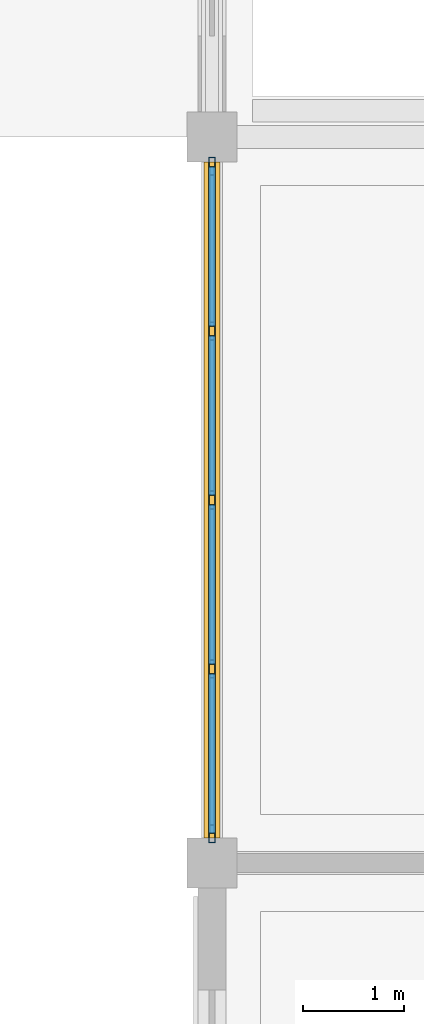
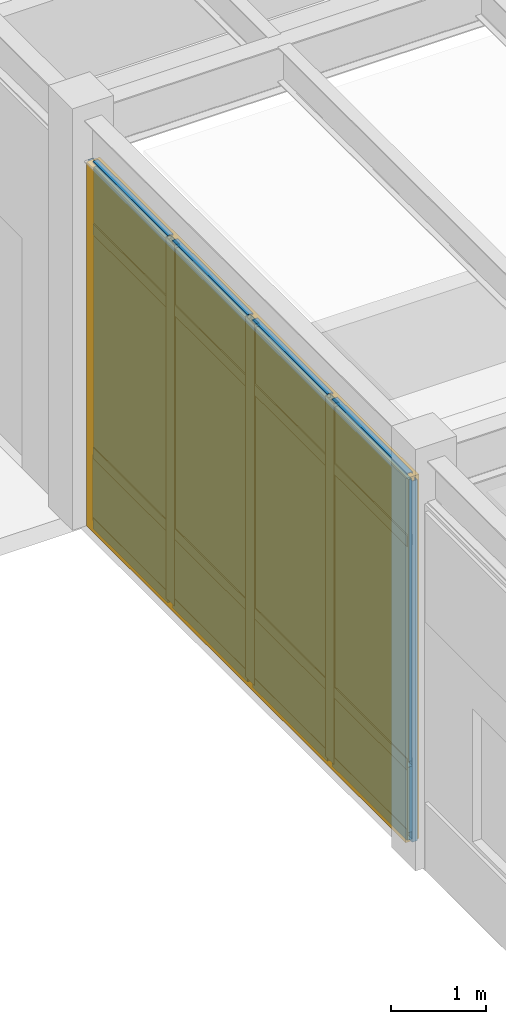
# One storey, part 66 of 97: 21 members, 8 plates, 1 curtain wall.
"""IFC4 building model written with IfcOpenShell, lengths in metres."""

import ifcopenshell
import ifcopenshell.guid

model = None  # the IFC model being written
_history = None  # IfcOwnerHistory: only IFC2X3 demands one
_inside = {}  # id of a spatial element -> (the spatial element, [elements in it])
_under = {}  # id of a project, library or spatial element -> (it, [spatial elements below it])
_declared = {}  # id of a project -> (the project, [libraries it declares])
_typed = {}  # id of a type object -> (the type object, [elements of that type])
_made_of = {}  # id of a material, layer set ... -> (it, [elements and type objects made of it])


def new_model(schema):
    """Start an empty IFC model of exactly this schema.

    Asked for "IFC4X3", IfcOpenShell would pick the latest addendum, in which some entities
    have other attributes; the version numbers below select the first issue.
    IFC2X3 requires an IfcOwnerHistory on every rooted entity: one is made here for all.
    """
    global model, _history
    if schema == "IFC4X3":
        model = ifcopenshell.file(schema_version=(4, 3, 0, 0))
    else:
        model = ifcopenshell.file(schema=schema)
    _inside.clear()
    _under.clear()
    _declared.clear()
    _typed.clear()
    _made_of.clear()
    _history = None
    if model.schema == "IFC2X3":
        org = make("IfcOrganization", Name="unknown")
        user = make(
            "IfcPersonAndOrganization",
            ThePerson=make("IfcPerson", FamilyName="unknown"),
            TheOrganization=org,
        )
        app = make(
            "IfcApplication",
            ApplicationDeveloper=org,
            Version="unknown",
            ApplicationFullName="unknown",
            ApplicationIdentifier="unknown",
        )
        _history = make(
            "IfcOwnerHistory",
            OwningUser=user,
            OwningApplication=app,
            ChangeAction="ADDED",
            CreationDate=0,
        )
    return model


def make(cls, **values):
    """One entity of the class cls with the attributes given. An attribute that is None is left unset."""
    return model.create_entity(
        cls, **{name: value for name, value in values.items() if value is not None}
    )


def rooted(cls, **values):
    """An entity with a GlobalId (a new one), such as an element, a storey or a relation."""
    return make(cls, GlobalId=ifcopenshell.guid.new(), OwnerHistory=_history, **values)


def si_unit(unit_type, name, prefix=None):
    """IfcSIUnit, for example si_unit("LENGTHUNIT", "METRE", prefix="MILLI")."""
    return make("IfcSIUnit", UnitType=unit_type, Prefix=prefix, Name=name)


def assignment(units):
    """IfcUnitAssignment: the units of a project."""
    return None if units is None else make("IfcUnitAssignment", Units=units)


def point(xyz):
    """IfcCartesianPoint."""
    return None if xyz is None else make("IfcCartesianPoint", Coordinates=xyz)


def direction(xyz):
    """IfcDirection."""
    return None if xyz is None else make("IfcDirection", DirectionRatios=xyz)


def frame(location, z_axis=None, x_axis=None):
    """IfcAxis2Placement3D, a coordinate frame: its origin and axes. An axis left out is left unset."""
    return make(
        "IfcAxis2Placement3D",
        Location=point(location),
        Axis=direction(z_axis),
        RefDirection=direction(x_axis),
    )


def frame_2d(location, x_axis=None):
    """IfcAxis2Placement2D, a coordinate frame in the plane: its origin and x axis."""
    return make(
        "IfcAxis2Placement2D", Location=point(location), RefDirection=direction(x_axis)
    )


def origin():
    """The frame at (0, 0, 0) with its axes left unset."""
    return frame((0.0, 0.0, 0.0))


def origin_2d():
    """The frame at (0, 0) in the plane with its x axis left unset."""
    return frame_2d((0.0, 0.0))


def place(relative_to, where):
    """IfcLocalPlacement: puts the frame where relative to a parent placement (None: the world)."""
    return make(
        "IfcLocalPlacement", PlacementRelTo=relative_to, RelativePlacement=where
    )


def context(
    kind, dimensions, precision=None, world=None, true_north=None, identifier=None
):
    """IfcGeometricRepresentationContext, for example the 3D "Model" context."""
    return make(
        "IfcGeometricRepresentationContext",
        ContextIdentifier=identifier,
        ContextType=kind,
        CoordinateSpaceDimension=dimensions,
        Precision=precision,
        WorldCoordinateSystem=world,
        TrueNorth=true_north,
    )


def subcontext(parent, identifier, kind, view, scale=None):
    """IfcGeometricRepresentationSubContext, for example "Body" below "Model"."""
    return make(
        "IfcGeometricRepresentationSubContext",
        ContextIdentifier=identifier,
        ContextType=kind,
        ParentContext=parent,
        TargetScale=scale,
        TargetView=view,
    )


def project(units=None, contexts=None):
    """IfcProject with its units and contexts."""
    return rooted(
        "IfcProject",
        Name="project",
        RepresentationContexts=contexts,
        UnitsInContext=assignment(units),
    )


def spatial(cls, under=None, at=None, **own):
    """A site, building, storey or space (cls), placed at a placement, below another one or the project."""
    s = rooted(cls, ObjectPlacement=at, **own)
    if under is not None:
        _under.setdefault(under.id(), (under, []))[1].append(s)
    return s


def profile(cls, at=None, kind="AREA", **sizes):
    """A parametric profile (cls). Its sizes go by their IFC names, for example OverallWidth=200.0."""
    return make(cls, ProfileType=kind, Position=at, **sizes)


def rectangle(**sizes):
    """IfcRectangleProfileDef."""
    return profile("IfcRectangleProfileDef", **sizes)


def hollow_rectangle(**sizes):
    """IfcRectangleHollowProfileDef."""
    return profile("IfcRectangleHollowProfileDef", **sizes)


def extrude(swept, where, along, depth):
    """IfcExtrudedAreaSolid: the profile swept, set in the frame where, extruded along a direction by depth."""
    return make(
        "IfcExtrudedAreaSolid",
        SweptArea=swept,
        Position=where,
        ExtrudedDirection=direction(along),
        Depth=depth,
    )


def shape(context_of_items, identifier, shape_type, items):
    """IfcShapeRepresentation: the items that make up one representation, for example the "Body"."""
    return make(
        "IfcShapeRepresentation",
        ContextOfItems=context_of_items,
        RepresentationIdentifier=identifier,
        RepresentationType=shape_type,
        Items=items,
    )


def material(Name=None, Category=None):
    """IfcMaterial."""
    return make("IfcMaterial", Name=Name, Category=Category)


def layer(
    of_material, thickness, ventilated=None, Name=None, Category=None, Priority=None
):
    """IfcMaterialLayer: one layer of a wall or slab, of a material (None: an air gap)."""
    return make(
        "IfcMaterialLayer",
        Material=of_material,
        LayerThickness=thickness,
        IsVentilated=ventilated,
        Name=Name,
        Category=Category,
        Priority=Priority,
    )


def layer_set(layers, Name=None):
    """IfcMaterialLayerSet."""
    return make("IfcMaterialLayerSet", MaterialLayers=layers, LayerSetName=Name)


def material_profile(
    of_material, cross_section, Name=None, Category=None, Priority=None
):
    """IfcMaterialProfile: a cross section and its material."""
    return make(
        "IfcMaterialProfile",
        Name=Name,
        Material=of_material,
        Profile=cross_section,
        Priority=Priority,
        Category=Category,
    )


def profile_set(profiles, Name=None, composite=None):
    """IfcMaterialProfileSet."""
    return make(
        "IfcMaterialProfileSet",
        Name=Name,
        MaterialProfiles=profiles,
        CompositeProfile=composite,
    )


def made_of(thing, what):
    """Note that an element or type object is made of a material, layer set ...; save() writes the relation."""
    if what is not None:
        _made_of.setdefault(what.id(), (what, []))[1].append(thing)
    return thing


def type_object(cls, material=None, **own):
    """A type object (cls), such as IfcWallType, which elements share."""
    return made_of(rooted(cls, **own), material)


def element(
    cls,
    number,
    at=None,
    inside=None,
    cuts=None,
    type_object=None,
    material=None,
    context=None,
    identifier="Body",
    shape_type=None,
    held_by="IfcProductDefinitionShape",
    body=None,
    shapes=None,
    **own,
):
    """One element of the class cls, such as IfcWall. Its Tag is "e" and its number.

    at: its placement. inside: the storey or other place that contains it. cuts: it is an
    opening in that element (IfcRelVoidsElement). A single representation is given by context,
    identifier, shape_type and body (its items); several are given by shapes. held_by: the class
    of the entity that holds the representations. save() writes the other relations.
    """
    e = rooted(cls, Tag="e%d" % number, ObjectPlacement=at, **own)
    if body is not None:
        shapes = [shape(context, identifier, shape_type, body)]
    if shapes is not None:
        e.Representation = make(held_by, Representations=shapes)
    if inside is not None:
        _inside.setdefault(inside.id(), (inside, []))[1].append(e)
    if cuts is not None:
        rooted(
            "IfcRelVoidsElement", RelatingBuildingElement=cuts, RelatedOpeningElement=e
        )
    if type_object is not None:
        _typed.setdefault(type_object.id(), (type_object, []))[1].append(e)
    return made_of(e, material)


def aggregate(whole, parts):
    """IfcRelAggregates: a whole, such as a stair, and the parts it consists of."""
    return rooted("IfcRelAggregates", RelatingObject=whole, RelatedObjects=parts)


def save(model, path):
    """Write the relations noted so far, then the file.

    IfcRelAggregates (storeys below a building ...), IfcRelContainedInSpatialStructure (elements
    in a storey), IfcRelDefinesByType, IfcRelAssociatesMaterial and IfcRelDeclares: one each for
    every whole, place, type object, material and project.
    """
    for whole, parts in _under.values():
        aggregate(whole, parts)
    for where, things in _inside.values():
        rooted(
            "IfcRelContainedInSpatialStructure",
            RelatedElements=things,
            RelatingStructure=where,
        )
    for kind, things in _typed.values():
        rooted("IfcRelDefinesByType", RelatedObjects=things, RelatingType=kind)
    for what, things in _made_of.values():
        rooted("IfcRelAssociatesMaterial", RelatedObjects=things, RelatingMaterial=what)
    for by, libraries in _declared.values():
        rooted("IfcRelDeclares", RelatingContext=by, RelatedDefinitions=libraries)
    model.write(path)


model = new_model("IFC4")

# Units and contexts
model_context = context("Model", 3, precision=1e-05, world=origin(), true_north=direction((0.0, 1.0)))
body_context = subcontext(model_context, "Body", "Model", "MODEL_VIEW")
ifc_project = project(units=[si_unit("LENGTHUNIT", "METRE"), si_unit("AREAUNIT", "SQUARE_METRE"), si_unit("VOLUMEUNIT", "CUBIC_METRE"), si_unit("PLANEANGLEUNIT", "RADIAN"), si_unit("MASSUNIT", "GRAM", prefix="KILO")], contexts=[model_context])

# Member
ifc_material_1 = material(Name="Anodized Aluminium 6063-T6", Category="aluminium")
ifc_material_profile_1 = material_profile(ifc_material_1, hollow_rectangle(XDim=0.06494140625, YDim=0.179931640625, WallThickness=0.00390625, at=origin_2d()), Name="ALU 65x180x4")
ifc_profile_set_1 = profile_set([ifc_material_profile_1], Name="Anodized Aluminium 6063-T6")
member_type_1 = type_object("IfcMemberType", Name="CWM-65X150", PredefinedType="MULLION", material=ifc_profile_set_1)
site_placement = place(None, origin())
building_placement = place(site_placement, origin())
storey_placement = place(building_placement, origin())
member_1_placement = place(storey_placement, frame((7.199951171875, 93.889892578125, 0.02001953125), z_axis=(0.0, 0.0, 1.0), x_axis=(1.0, 0.0, 0.0)))
member_1 = element("IfcMember", 1, at=member_1_placement, type_object=member_type_1, Name="Curtain wall mullion CW-L01-01-13-W-00", PredefinedType="MULLION", context=body_context, shape_type="SweptSolid", body=[
    extrude(hollow_rectangle(XDim=0.06494140625, YDim=0.179931640625, WallThickness=0.00390625, at=origin_2d()), origin(), (0.0, 0.0, 1.0), 4.626953125),
])

member_2_placement = place(storey_placement, frame((7.199951171875, 95.52490234375, 0.02001953125), z_axis=(0.0, 0.0, 1.0), x_axis=(1.0, 0.0, 0.0)))
member_2 = element("IfcMember", 2, at=member_2_placement, type_object=member_type_1, Name="Curtain wall mullion CW-L01-01-13-W-01", PredefinedType="MULLION", context=body_context, shape_type="SweptSolid", body=[
    extrude(hollow_rectangle(XDim=0.06494140625, YDim=0.179931640625, WallThickness=0.00390625, at=origin_2d()), origin(), (0.0, 0.0, 1.0), 4.626953125),
])

member_3_placement = place(storey_placement, frame((7.199951171875, 97.199951171875, 0.02001953125), z_axis=(0.0, 0.0, 1.0), x_axis=(1.0, 0.0, 0.0)))
member_3 = element("IfcMember", 3, at=member_3_placement, type_object=member_type_1, Name="Curtain wall mullion CW-L01-01-13-W-02", PredefinedType="MULLION", context=body_context, shape_type="SweptSolid", body=[
    extrude(hollow_rectangle(XDim=0.06494140625, YDim=0.179931640625, WallThickness=0.00390625, at=origin_2d()), origin(), (0.0, 0.0, 1.0), 4.626953125),
])

member_4_placement = place(storey_placement, frame((7.199951171875, 98.875, 0.02001953125), z_axis=(0.0, 0.0, 1.0), x_axis=(1.0, 0.0, 0.0)))
member_4 = element("IfcMember", 4, at=member_4_placement, type_object=member_type_1, Name="Curtain wall mullion CW-L01-01-13-W-03", PredefinedType="MULLION", context=body_context, shape_type="SweptSolid", body=[
    extrude(hollow_rectangle(XDim=0.06494140625, YDim=0.179931640625, WallThickness=0.00390625, at=origin_2d()), origin(), (0.0, 0.0, 1.0), 4.626953125),
])

member_5_placement = place(storey_placement, frame((7.199951171875, 100.510009765625, 0.02001953125), z_axis=(0.0, 0.0, 1.0), x_axis=(1.0, 0.0, 0.0)))
member_5 = element("IfcMember", 5, at=member_5_placement, type_object=member_type_1, Name="Curtain wall mullion CW-L01-01-13-W-04", PredefinedType="MULLION", context=body_context, shape_type="SweptSolid", body=[
    extrude(hollow_rectangle(XDim=0.06494140625, YDim=0.179931640625, WallThickness=0.00390625, at=origin_2d()), origin(), (0.0, 0.0, 1.0), 4.626953125),
])

ifc_material_profile_2 = material_profile(ifc_material_1, hollow_rectangle(XDim=0.06494140625, YDim=0.139892578125, WallThickness=0.00390625, at=origin_2d()), Name="ALU 65x140x4")
ifc_profile_set_2 = profile_set([ifc_material_profile_2], Name="Anodized Aluminium 6063-T6")
member_type_2 = type_object("IfcMemberType", Name="CWT-65X120", PredefinedType="USERDEFINED", material=ifc_profile_set_2)
member_6_placement = place(storey_placement, frame((7.199951171875, 93.89990234375, 0.050048828125), z_axis=(0.0, 1.0, 0.0), x_axis=(-1.0, 0.0, 0.0)))
member_6 = element("IfcMember", 6, at=member_6_placement, type_object=member_type_2, Name="Curtain wall transom CW-L01-01-13-W-1.01", ObjectType="TRANSOM", PredefinedType="USERDEFINED", context=body_context, shape_type="SweptSolid", body=[
    extrude(hollow_rectangle(XDim=0.06494140625, YDim=0.139892578125, WallThickness=0.00390625, at=origin_2d()), origin(), (0.0, 0.0, 1.0), 1.5751953125),
])

member_7_placement = place(storey_placement, frame((7.199951171875, 95.574951171875, 0.050048828125), z_axis=(0.0, 1.0, 0.0), x_axis=(-1.0, 0.0, 0.0)))
member_7 = element("IfcMember", 7, at=member_7_placement, type_object=member_type_2, Name="Curtain wall transom CW-L01-01-13-W-1.02", ObjectType="TRANSOM", PredefinedType="USERDEFINED", context=body_context, shape_type="SweptSolid", body=[
    extrude(hollow_rectangle(XDim=0.06494140625, YDim=0.139892578125, WallThickness=0.00390625, at=origin_2d()), origin(), (0.0, 0.0, 1.0), 1.574951171875),
])

member_8_placement = place(storey_placement, frame((7.199951171875, 97.25, 0.050048828125), z_axis=(0.0, 1.0, 0.0), x_axis=(-1.0, 0.0, 0.0)))
member_8 = element("IfcMember", 8, at=member_8_placement, type_object=member_type_2, Name="Curtain wall transom CW-L01-01-13-W-1.03", ObjectType="TRANSOM", PredefinedType="USERDEFINED", context=body_context, shape_type="SweptSolid", body=[
    extrude(hollow_rectangle(XDim=0.06494140625, YDim=0.139892578125, WallThickness=0.00390625, at=origin_2d()), origin(), (0.0, 0.0, 1.0), 1.574951171875),
])

member_9_placement = place(storey_placement, frame((7.199951171875, 98.925048828125, 0.050048828125), z_axis=(0.0, 1.0, 0.0), x_axis=(-1.0, 0.0, 0.0)))
member_9 = element("IfcMember", 9, at=member_9_placement, type_object=member_type_2, Name="Curtain wall transom CW-L01-01-13-W-1.04", ObjectType="TRANSOM", PredefinedType="USERDEFINED", context=body_context, shape_type="SweptSolid", body=[
    extrude(hollow_rectangle(XDim=0.06494140625, YDim=0.139892578125, WallThickness=0.00390625, at=origin_2d()), origin(), (0.0, 0.0, 1.0), 1.574951171875),
])

member_10_placement = place(storey_placement, frame((7.199951171875, 93.89990234375, 0.949951171875), z_axis=(0.0, 1.0, 0.0), x_axis=(-1.0, 0.0, 0.0)))
member_10 = element("IfcMember", 10, at=member_10_placement, type_object=member_type_2, Name="Curtain wall transom CW-L01-01-13-W-2.01", ObjectType="TRANSOM", PredefinedType="USERDEFINED", context=body_context, shape_type="SweptSolid", body=[
    extrude(hollow_rectangle(XDim=0.06494140625, YDim=0.139892578125, WallThickness=0.00390625, at=origin_2d()), origin(), (0.0, 0.0, 1.0), 1.5751953125),
])

member_11_placement = place(storey_placement, frame((7.199951171875, 95.574951171875, 0.949951171875), z_axis=(0.0, 1.0, 0.0), x_axis=(-1.0, 0.0, 0.0)))
member_11 = element("IfcMember", 11, at=member_11_placement, type_object=member_type_2, Name="Curtain wall transom CW-L01-01-13-W-2.02", ObjectType="TRANSOM", PredefinedType="USERDEFINED", context=body_context, shape_type="SweptSolid", body=[
    extrude(hollow_rectangle(XDim=0.06494140625, YDim=0.139892578125, WallThickness=0.00390625, at=origin_2d()), origin(), (0.0, 0.0, 1.0), 1.574951171875),
])

member_12_placement = place(storey_placement, frame((7.199951171875, 97.25, 0.949951171875), z_axis=(0.0, 1.0, 0.0), x_axis=(-1.0, 0.0, 0.0)))
member_12 = element("IfcMember", 12, at=member_12_placement, type_object=member_type_2, Name="Curtain wall transom CW-L01-01-13-W-2.03", ObjectType="TRANSOM", PredefinedType="USERDEFINED", context=body_context, shape_type="SweptSolid", body=[
    extrude(hollow_rectangle(XDim=0.06494140625, YDim=0.139892578125, WallThickness=0.00390625, at=origin_2d()), origin(), (0.0, 0.0, 1.0), 1.574951171875),
])

member_13_placement = place(storey_placement, frame((7.199951171875, 98.925048828125, 0.949951171875), z_axis=(0.0, 1.0, 0.0), x_axis=(-1.0, 0.0, 0.0)))
member_13 = element("IfcMember", 13, at=member_13_placement, type_object=member_type_2, Name="Curtain wall transom CW-L01-01-13-W-2.04", ObjectType="TRANSOM", PredefinedType="USERDEFINED", context=body_context, shape_type="SweptSolid", body=[
    extrude(hollow_rectangle(XDim=0.06494140625, YDim=0.139892578125, WallThickness=0.00390625, at=origin_2d()), origin(), (0.0, 0.0, 1.0), 1.574951171875),
])

member_14_placement = place(storey_placement, frame((7.199951171875, 93.89990234375, 3.81689453125), z_axis=(0.0, 1.0, 0.0), x_axis=(-1.0, 0.0, 0.0)))
member_14 = element("IfcMember", 14, at=member_14_placement, type_object=member_type_2, Name="Curtain wall transom CW-L01-01-13-W-3.01", ObjectType="TRANSOM", PredefinedType="USERDEFINED", context=body_context, shape_type="SweptSolid", body=[
    extrude(hollow_rectangle(XDim=0.06494140625, YDim=0.139892578125, WallThickness=0.00390625, at=origin_2d()), origin(), (0.0, 0.0, 1.0), 1.5751953125),
])

member_15_placement = place(storey_placement, frame((7.199951171875, 95.574951171875, 3.81689453125), z_axis=(0.0, 1.0, 0.0), x_axis=(-1.0, 0.0, 0.0)))
member_15 = element("IfcMember", 15, at=member_15_placement, type_object=member_type_2, Name="Curtain wall transom CW-L01-01-13-W-3.02", ObjectType="TRANSOM", PredefinedType="USERDEFINED", context=body_context, shape_type="SweptSolid", body=[
    extrude(hollow_rectangle(XDim=0.06494140625, YDim=0.139892578125, WallThickness=0.00390625, at=origin_2d()), origin(), (0.0, 0.0, 1.0), 1.574951171875),
])

member_16_placement = place(storey_placement, frame((7.199951171875, 97.25, 3.81689453125), z_axis=(0.0, 1.0, 0.0), x_axis=(-1.0, 0.0, 0.0)))
member_16 = element("IfcMember", 16, at=member_16_placement, type_object=member_type_2, Name="Curtain wall transom CW-L01-01-13-W-3.03", ObjectType="TRANSOM", PredefinedType="USERDEFINED", context=body_context, shape_type="SweptSolid", body=[
    extrude(hollow_rectangle(XDim=0.06494140625, YDim=0.139892578125, WallThickness=0.00390625, at=origin_2d()), origin(), (0.0, 0.0, 1.0), 1.574951171875),
])

member_17_placement = place(storey_placement, frame((7.199951171875, 98.925048828125, 3.81689453125), z_axis=(0.0, 1.0, 0.0), x_axis=(-1.0, 0.0, 0.0)))
member_17 = element("IfcMember", 17, at=member_17_placement, type_object=member_type_2, Name="Curtain wall transom CW-L01-01-13-W-3.04", ObjectType="TRANSOM", PredefinedType="USERDEFINED", context=body_context, shape_type="SweptSolid", body=[
    extrude(hollow_rectangle(XDim=0.06494140625, YDim=0.139892578125, WallThickness=0.00390625, at=origin_2d()), origin(), (0.0, 0.0, 1.0), 1.574951171875),
])

member_18_placement = place(storey_placement, frame((7.199951171875, 93.89990234375, 4.616943359375), z_axis=(0.0, 1.0, 0.0), x_axis=(-1.0, 0.0, 0.0)))
member_18 = element("IfcMember", 18, at=member_18_placement, type_object=member_type_2, Name="Curtain wall transom CW-L01-01-13-W-4.01", ObjectType="TRANSOM", PredefinedType="USERDEFINED", context=body_context, shape_type="SweptSolid", body=[
    extrude(hollow_rectangle(XDim=0.06494140625, YDim=0.139892578125, WallThickness=0.00390625, at=origin_2d()), origin(), (0.0, 0.0, 1.0), 1.5751953125),
])

member_19_placement = place(storey_placement, frame((7.199951171875, 95.574951171875, 4.616943359375), z_axis=(0.0, 1.0, 0.0), x_axis=(-1.0, 0.0, 0.0)))
member_19 = element("IfcMember", 19, at=member_19_placement, type_object=member_type_2, Name="Curtain wall transom CW-L01-01-13-W-4.02", ObjectType="TRANSOM", PredefinedType="USERDEFINED", context=body_context, shape_type="SweptSolid", body=[
    extrude(hollow_rectangle(XDim=0.06494140625, YDim=0.139892578125, WallThickness=0.00390625, at=origin_2d()), origin(), (0.0, 0.0, 1.0), 1.574951171875),
])

member_20_placement = place(storey_placement, frame((7.199951171875, 97.25, 4.616943359375), z_axis=(0.0, 1.0, 0.0), x_axis=(-1.0, 0.0, 0.0)))
member_20 = element("IfcMember", 20, at=member_20_placement, type_object=member_type_2, Name="Curtain wall transom CW-L01-01-13-W-4.03", ObjectType="TRANSOM", PredefinedType="USERDEFINED", context=body_context, shape_type="SweptSolid", body=[
    extrude(hollow_rectangle(XDim=0.06494140625, YDim=0.139892578125, WallThickness=0.00390625, at=origin_2d()), origin(), (0.0, 0.0, 1.0), 1.574951171875),
])

member_21_placement = place(storey_placement, frame((7.199951171875, 98.925048828125, 4.616943359375), z_axis=(0.0, 1.0, 0.0), x_axis=(-1.0, 0.0, 0.0)))
member_21 = element("IfcMember", 21, at=member_21_placement, type_object=member_type_2, Name="Curtain wall transom CW-L01-01-13-W-4.04", ObjectType="TRANSOM", PredefinedType="USERDEFINED", context=body_context, shape_type="SweptSolid", body=[
    extrude(hollow_rectangle(XDim=0.06494140625, YDim=0.139892578125, WallThickness=0.00390625, at=origin_2d()), origin(), (0.0, 0.0, 1.0), 1.574951171875),
])

# Plate
ifc_material_2 = material(Name="Double Low-E Insulated Glazing Unit", Category="glass")
ifc_layer_1 = layer(ifc_material_2, 0.0380859375)
ifc_layer_set_1 = layer_set([ifc_layer_1], Name="Double Low-E Insulated Glazing Unit")
plate_type_1 = type_object("IfcPlateType", Name="CWP-IGU-38", PredefinedType="CURTAIN_PANEL", material=ifc_layer_set_1)
plate_1_placement = place(storey_placement, frame((7.199951171875, 94.6875, 0.990234375), z_axis=(0.0, 0.0, 1.0), x_axis=(0.0, 1.0, 0.0)))
plate_1 = element("IfcPlate", 22, at=plate_1_placement, type_object=plate_type_1, Name="Curtain wall vision glazing CW-L01-01-13-W-01", PredefinedType="CURTAIN_PANEL", context=body_context, shape_type="SweptSolid", body=[
    extrude(rectangle(XDim=1.5849609375, YDim=0.0400390625, at=origin_2d()), origin(), (0.0, 0.0, 1.0), 3.616943359375),
])

plate_2_placement = place(storey_placement, frame((7.199951171875, 96.362548828125, 0.990234375), z_axis=(0.0, 0.0, 1.0), x_axis=(0.0, 1.0, 0.0)))
plate_2 = element("IfcPlate", 23, at=plate_2_placement, type_object=plate_type_1, Name="Curtain wall vision glazing CW-L01-01-13-W-02", PredefinedType="CURTAIN_PANEL", context=body_context, shape_type="SweptSolid", body=[
    extrude(rectangle(XDim=1.5849609375, YDim=0.0400390625, at=origin_2d()), origin(), (0.0, 0.0, 1.0), 3.616943359375),
])

plate_3_placement = place(storey_placement, frame((7.199951171875, 98.03759765625, 0.990234375), z_axis=(0.0, 0.0, 1.0), x_axis=(0.0, 1.0, 0.0)))
plate_3 = element("IfcPlate", 24, at=plate_3_placement, type_object=plate_type_1, Name="Curtain wall vision glazing CW-L01-01-13-W-03", PredefinedType="CURTAIN_PANEL", context=body_context, shape_type="SweptSolid", body=[
    extrude(rectangle(XDim=1.5849609375, YDim=0.0400390625, at=origin_2d()), origin(), (0.0, 0.0, 1.0), 3.616943359375),
])

plate_4_placement = place(storey_placement, frame((7.199951171875, 99.71240234375, 0.990234375), z_axis=(0.0, 0.0, 1.0), x_axis=(0.0, 1.0, 0.0)))
plate_4 = element("IfcPlate", 25, at=plate_4_placement, type_object=plate_type_1, Name="Curtain wall vision glazing CW-L01-01-13-W-04", PredefinedType="CURTAIN_PANEL", context=body_context, shape_type="SweptSolid", body=[
    extrude(rectangle(XDim=1.5849609375, YDim=0.0400390625, at=origin_2d()), origin(), (0.0, 0.0, 1.0), 3.616943359375),
])

ifc_material_3 = material(Name="Insulated Bronze Aluminium Spandrel", Category="aluminium")
ifc_layer_2 = layer(ifc_material_3, 0.06005859375)
ifc_layer_set_2 = layer_set([ifc_layer_2], Name="Insulated Bronze Aluminium Spandrel")
plate_type_2 = type_object("IfcPlateType", Name="CWP-SPN-60", PredefinedType="CURTAIN_PANEL", material=ifc_layer_set_2)
plate_5_placement = place(storey_placement, frame((7.199951171875, 94.6875, 0.080078125), z_axis=(0.0, 0.0, 1.0), x_axis=(0.0, 1.0, 0.0)))
plate_5 = element("IfcPlate", 26, at=plate_5_placement, type_object=plate_type_2, Name="Curtain wall spandrel panel CW-L01-01-13-W-01", PredefinedType="CURTAIN_PANEL", context=body_context, shape_type="SweptSolid", body=[
    extrude(rectangle(XDim=1.5849609375, YDim=0.06005859375, at=origin_2d()), origin(), (0.0, 0.0, 1.0), 0.840087890625),
])

plate_6_placement = place(storey_placement, frame((7.199951171875, 96.362548828125, 0.080078125), z_axis=(0.0, 0.0, 1.0), x_axis=(0.0, 1.0, 0.0)))
plate_6 = element("IfcPlate", 27, at=plate_6_placement, type_object=plate_type_2, Name="Curtain wall spandrel panel CW-L01-01-13-W-02", PredefinedType="CURTAIN_PANEL", context=body_context, shape_type="SweptSolid", body=[
    extrude(rectangle(XDim=1.5849609375, YDim=0.06005859375, at=origin_2d()), origin(), (0.0, 0.0, 1.0), 0.840087890625),
])

plate_7_placement = place(storey_placement, frame((7.199951171875, 98.03759765625, 0.080078125), z_axis=(0.0, 0.0, 1.0), x_axis=(0.0, 1.0, 0.0)))
plate_7 = element("IfcPlate", 28, at=plate_7_placement, type_object=plate_type_2, Name="Curtain wall spandrel panel CW-L01-01-13-W-03", PredefinedType="CURTAIN_PANEL", context=body_context, shape_type="SweptSolid", body=[
    extrude(rectangle(XDim=1.5849609375, YDim=0.06005859375, at=origin_2d()), origin(), (0.0, 0.0, 1.0), 0.840087890625),
])

plate_8_placement = place(storey_placement, frame((7.199951171875, 99.71240234375, 0.080078125), z_axis=(0.0, 0.0, 1.0), x_axis=(0.0, 1.0, 0.0)))
plate_8 = element("IfcPlate", 29, at=plate_8_placement, type_object=plate_type_2, Name="Curtain wall spandrel panel CW-L01-01-13-W-04", PredefinedType="CURTAIN_PANEL", context=body_context, shape_type="SweptSolid", body=[
    extrude(rectangle(XDim=1.5849609375, YDim=0.06005859375, at=origin_2d()), origin(), (0.0, 0.0, 1.0), 0.840087890625),
])

# Site, building, storey
site = spatial("IfcSite", under=ifc_project, at=site_placement, CompositionType="ELEMENT")
building = spatial("IfcBuilding", under=site, at=building_placement, Name="Sillqori Civic Hall", CompositionType="ELEMENT")
storey = spatial("IfcBuildingStorey", under=building, at=storey_placement, Name="L01", CompositionType="ELEMENT", Elevation=0.0)

# Curtain wall
ifc_material_4 = material(Name="Anodized Aluminium Curtain Wall System", Category="aluminium")
curtain_wall_type = type_object("IfcCurtainWallType", Name="CW-SF-540", PredefinedType="NOTDEFINED", material=ifc_material_4)
curtain_wall_placement = place(storey_placement, frame((7.199951171875, 97.199951171875, 0.0), z_axis=(0.0, 0.0, 1.0), x_axis=(0.0, 1.0, 0.0)))
curtain_wall = element("IfcCurtainWall", 30, at=curtain_wall_placement, inside=storey, type_object=curtain_wall_type, Name="L01 unitised curtain wall CW-L01-01-13-W", PredefinedType="NOTDEFINED", context=body_context, shape_type="SweptSolid", body=[
    extrude(rectangle(XDim=6.699951171875, YDim=0.159912109375, at=origin_2d()), origin(), (0.0, 0.0, 1.0), 4.6669921875),
])

aggregate(curtain_wall, [member_1, member_2, member_3, member_4, member_5, member_6, member_7, member_8, member_9, member_10, member_11, member_12, member_13, member_14, member_15, member_16, member_17, member_18, member_19, member_20, member_21, plate_5, plate_1, plate_6, plate_2, plate_7, plate_3, plate_8, plate_4])

save(model, "model.ifc")
